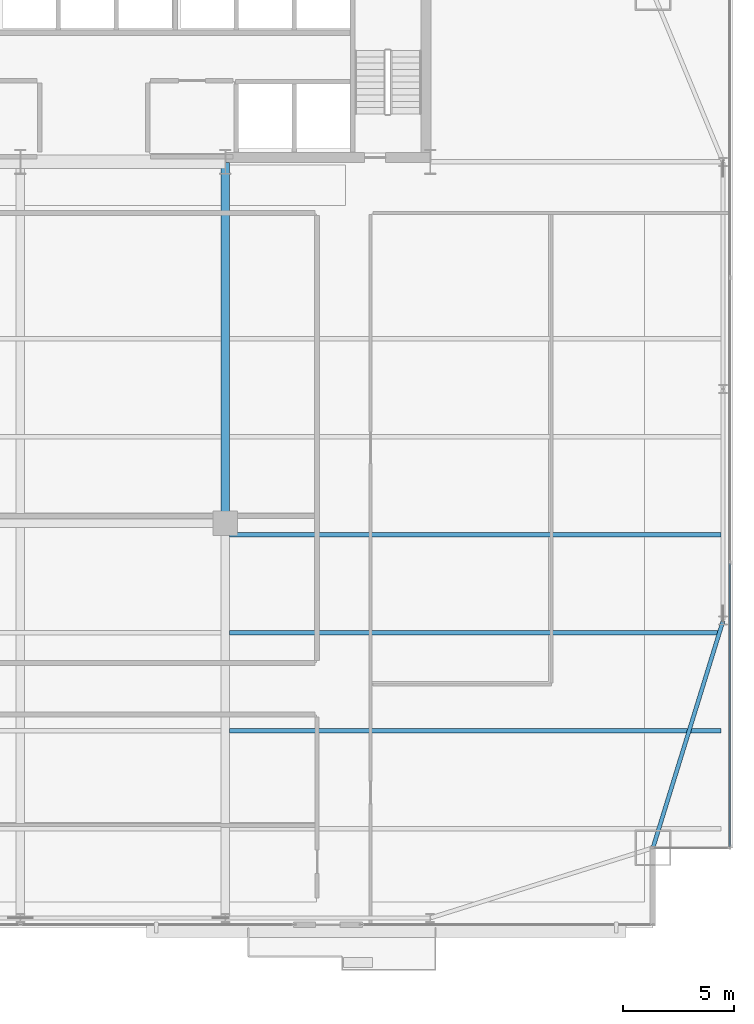
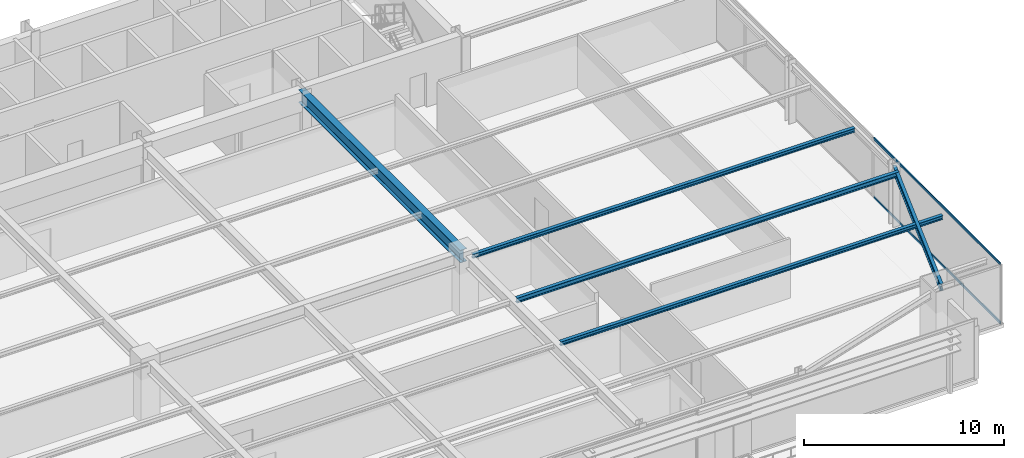
# One storey, part 15 of 31: 5 beams, 2 members, 1 element without a shape of its own.
"""IFC4 building model written with IfcOpenShell, lengths in metres."""

import ifcopenshell
import ifcopenshell.guid

model = None  # the IFC model being written
_history = None  # IfcOwnerHistory: only IFC2X3 demands one
_inside = {}  # id of a spatial element -> (the spatial element, [elements in it])
_under = {}  # id of a project, library or spatial element -> (it, [spatial elements below it])
_declared = {}  # id of a project -> (the project, [libraries it declares])
_typed = {}  # id of a type object -> (the type object, [elements of that type])
_made_of = {}  # id of a material, layer set ... -> (it, [elements and type objects made of it])


def new_model(schema):
    """Start an empty IFC model of exactly this schema.

    Asked for "IFC4X3", IfcOpenShell would pick the latest addendum, in which some entities
    have other attributes; the version numbers below select the first issue.
    IFC2X3 requires an IfcOwnerHistory on every rooted entity: one is made here for all.
    """
    global model, _history
    if schema == "IFC4X3":
        model = ifcopenshell.file(schema_version=(4, 3, 0, 0))
    else:
        model = ifcopenshell.file(schema=schema)
    _inside.clear()
    _under.clear()
    _declared.clear()
    _typed.clear()
    _made_of.clear()
    _history = None
    if model.schema == "IFC2X3":
        org = make("IfcOrganization", Name="unknown")
        user = make(
            "IfcPersonAndOrganization",
            ThePerson=make("IfcPerson", FamilyName="unknown"),
            TheOrganization=org,
        )
        app = make(
            "IfcApplication",
            ApplicationDeveloper=org,
            Version="unknown",
            ApplicationFullName="unknown",
            ApplicationIdentifier="unknown",
        )
        _history = make(
            "IfcOwnerHistory",
            OwningUser=user,
            OwningApplication=app,
            ChangeAction="ADDED",
            CreationDate=0,
        )
    return model


def make(cls, **values):
    """One entity of the class cls with the attributes given. An attribute that is None is left unset."""
    return model.create_entity(
        cls, **{name: value for name, value in values.items() if value is not None}
    )


def rooted(cls, **values):
    """An entity with a GlobalId (a new one), such as an element, a storey or a relation."""
    return make(cls, GlobalId=ifcopenshell.guid.new(), OwnerHistory=_history, **values)


def si_unit(unit_type, name, prefix=None):
    """IfcSIUnit, for example si_unit("LENGTHUNIT", "METRE", prefix="MILLI")."""
    return make("IfcSIUnit", UnitType=unit_type, Prefix=prefix, Name=name)


def assignment(units):
    """IfcUnitAssignment: the units of a project."""
    return None if units is None else make("IfcUnitAssignment", Units=units)


def point(xyz):
    """IfcCartesianPoint."""
    return None if xyz is None else make("IfcCartesianPoint", Coordinates=xyz)


def direction(xyz):
    """IfcDirection."""
    return None if xyz is None else make("IfcDirection", DirectionRatios=xyz)


def frame(location, z_axis=None, x_axis=None):
    """IfcAxis2Placement3D, a coordinate frame: its origin and axes. An axis left out is left unset."""
    return make(
        "IfcAxis2Placement3D",
        Location=point(location),
        Axis=direction(z_axis),
        RefDirection=direction(x_axis),
    )


def frame_2d(location, x_axis=None):
    """IfcAxis2Placement2D, a coordinate frame in the plane: its origin and x axis."""
    return make(
        "IfcAxis2Placement2D", Location=point(location), RefDirection=direction(x_axis)
    )


def origin():
    """The frame at (0, 0, 0) with its axes left unset."""
    return frame((0.0, 0.0, 0.0))


def origin_2d():
    """The frame at (0, 0) in the plane with its x axis left unset."""
    return frame_2d((0.0, 0.0))


def place(relative_to, where):
    """IfcLocalPlacement: puts the frame where relative to a parent placement (None: the world)."""
    return make(
        "IfcLocalPlacement", PlacementRelTo=relative_to, RelativePlacement=where
    )


def context(
    kind, dimensions, precision=None, world=None, true_north=None, identifier=None
):
    """IfcGeometricRepresentationContext, for example the 3D "Model" context."""
    return make(
        "IfcGeometricRepresentationContext",
        ContextIdentifier=identifier,
        ContextType=kind,
        CoordinateSpaceDimension=dimensions,
        Precision=precision,
        WorldCoordinateSystem=world,
        TrueNorth=true_north,
    )


def subcontext(parent, identifier, kind, view, scale=None):
    """IfcGeometricRepresentationSubContext, for example "Body" below "Model"."""
    return make(
        "IfcGeometricRepresentationSubContext",
        ContextIdentifier=identifier,
        ContextType=kind,
        ParentContext=parent,
        TargetScale=scale,
        TargetView=view,
    )


def project(units=None, contexts=None):
    """IfcProject with its units and contexts."""
    return rooted(
        "IfcProject",
        Name="project",
        RepresentationContexts=contexts,
        UnitsInContext=assignment(units),
    )


def spatial(cls, under=None, at=None, **own):
    """A site, building, storey or space (cls), placed at a placement, below another one or the project."""
    s = rooted(cls, ObjectPlacement=at, **own)
    if under is not None:
        _under.setdefault(under.id(), (under, []))[1].append(s)
    return s


def profile(cls, at=None, kind="AREA", **sizes):
    """A parametric profile (cls). Its sizes go by their IFC names, for example OverallWidth=200.0."""
    return make(cls, ProfileType=kind, Position=at, **sizes)


def hollow_rectangle(**sizes):
    """IfcRectangleHollowProfileDef."""
    return profile("IfcRectangleHollowProfileDef", **sizes)


def i_section(**sizes):
    """IfcIShapeProfileDef."""
    return profile("IfcIShapeProfileDef", **sizes)


def extrude(swept, where, along, depth):
    """IfcExtrudedAreaSolid: the profile swept, set in the frame where, extruded along a direction by depth."""
    return make(
        "IfcExtrudedAreaSolid",
        SweptArea=swept,
        Position=where,
        ExtrudedDirection=direction(along),
        Depth=depth,
    )


def shape(context_of_items, identifier, shape_type, items):
    """IfcShapeRepresentation: the items that make up one representation, for example the "Body"."""
    return make(
        "IfcShapeRepresentation",
        ContextOfItems=context_of_items,
        RepresentationIdentifier=identifier,
        RepresentationType=shape_type,
        Items=items,
    )


def source(mapping_origin, context_of_items, identifier, shape_type, items):
    """IfcRepresentationMap: a shape defined once, which mapped items show again and again."""
    return make(
        "IfcRepresentationMap",
        MappingOrigin=mapping_origin,
        MappedRepresentation=shape(context_of_items, identifier, shape_type, items),
    )


def transform(
    local_origin,
    x_axis=None,
    y_axis=None,
    z_axis=None,
    scale=None,
    scale2=None,
    scale3=None,
    uniform=True,
):
    """IfcCartesianTransformationOperator3D, or its non-uniform kind. x_axis, y_axis, z_axis: its Axis1, 2, 3."""
    if uniform:
        return make(
            "IfcCartesianTransformationOperator3D",
            Axis1=direction(x_axis),
            Axis2=direction(y_axis),
            LocalOrigin=point(local_origin),
            Scale=scale,
            Axis3=direction(z_axis),
        )
    return make(
        "IfcCartesianTransformationOperator3DnonUniform",
        Axis1=direction(x_axis),
        Axis2=direction(y_axis),
        LocalOrigin=point(local_origin),
        Scale=scale,
        Axis3=direction(z_axis),
        Scale2=scale2,
        Scale3=scale3,
    )


def mapped(mapping_source, mapping_target):
    """IfcMappedItem: shows the shape of a source again, moved by a transform."""
    return make(
        "IfcMappedItem", MappingSource=mapping_source, MappingTarget=mapping_target
    )


def material(Name=None, Category=None):
    """IfcMaterial."""
    return make("IfcMaterial", Name=Name, Category=Category)


def layer(
    of_material, thickness, ventilated=None, Name=None, Category=None, Priority=None
):
    """IfcMaterialLayer: one layer of a wall or slab, of a material (None: an air gap)."""
    return make(
        "IfcMaterialLayer",
        Material=of_material,
        LayerThickness=thickness,
        IsVentilated=ventilated,
        Name=Name,
        Category=Category,
        Priority=Priority,
    )


def layer_set(layers, Name=None):
    """IfcMaterialLayerSet."""
    return make("IfcMaterialLayerSet", MaterialLayers=layers, LayerSetName=Name)


def material_profile(
    of_material, cross_section, Name=None, Category=None, Priority=None
):
    """IfcMaterialProfile: a cross section and its material."""
    return make(
        "IfcMaterialProfile",
        Name=Name,
        Material=of_material,
        Profile=cross_section,
        Priority=Priority,
        Category=Category,
    )


def profile_set(profiles, Name=None, composite=None):
    """IfcMaterialProfileSet."""
    return make(
        "IfcMaterialProfileSet",
        Name=Name,
        MaterialProfiles=profiles,
        CompositeProfile=composite,
    )


def made_of(thing, what):
    """Note that an element or type object is made of a material, layer set ...; save() writes the relation."""
    if what is not None:
        _made_of.setdefault(what.id(), (what, []))[1].append(thing)
    return thing


def type_object(cls, material=None, **own):
    """A type object (cls), such as IfcWallType, which elements share."""
    return made_of(rooted(cls, **own), material)


def type_shapes(of_type, sources):
    """Give a type object the sources (RepresentationMaps) that its elements show as mapped items."""
    of_type.RepresentationMaps = sources


def element(
    cls,
    number,
    at=None,
    inside=None,
    cuts=None,
    type_object=None,
    material=None,
    context=None,
    identifier="Body",
    shape_type=None,
    held_by="IfcProductDefinitionShape",
    body=None,
    shapes=None,
    **own,
):
    """One element of the class cls, such as IfcWall. Its Tag is "e" and its number.

    at: its placement. inside: the storey or other place that contains it. cuts: it is an
    opening in that element (IfcRelVoidsElement). A single representation is given by context,
    identifier, shape_type and body (its items); several are given by shapes. held_by: the class
    of the entity that holds the representations. save() writes the other relations.
    """
    e = rooted(cls, Tag="e%d" % number, ObjectPlacement=at, **own)
    if body is not None:
        shapes = [shape(context, identifier, shape_type, body)]
    if shapes is not None:
        e.Representation = make(held_by, Representations=shapes)
    if inside is not None:
        _inside.setdefault(inside.id(), (inside, []))[1].append(e)
    if cuts is not None:
        rooted(
            "IfcRelVoidsElement", RelatingBuildingElement=cuts, RelatedOpeningElement=e
        )
    if type_object is not None:
        _typed.setdefault(type_object.id(), (type_object, []))[1].append(e)
    return made_of(e, material)


def aggregate(whole, parts):
    """IfcRelAggregates: a whole, such as a stair, and the parts it consists of."""
    return rooted("IfcRelAggregates", RelatingObject=whole, RelatedObjects=parts)


def save(model, path):
    """Write the relations noted so far, then the file.

    IfcRelAggregates (storeys below a building ...), IfcRelContainedInSpatialStructure (elements
    in a storey), IfcRelDefinesByType, IfcRelAssociatesMaterial and IfcRelDeclares: one each for
    every whole, place, type object, material and project.
    """
    for whole, parts in _under.values():
        aggregate(whole, parts)
    for where, things in _inside.values():
        rooted(
            "IfcRelContainedInSpatialStructure",
            RelatedElements=things,
            RelatingStructure=where,
        )
    for kind, things in _typed.values():
        rooted("IfcRelDefinesByType", RelatedObjects=things, RelatingType=kind)
    for what, things in _made_of.values():
        rooted("IfcRelAssociatesMaterial", RelatedObjects=things, RelatingMaterial=what)
    for by, libraries in _declared.values():
        rooted("IfcRelDeclares", RelatingContext=by, RelatedDefinitions=libraries)
    model.write(path)


model = new_model("IFC4")

# Units and contexts
model_context = context("Model", 3, precision=1e-05, world=origin(), true_north=direction((0.0, 1.0)))
body_context = subcontext(model_context, "Body", "Model", "MODEL_VIEW")
ifc_project = project(units=[si_unit("LENGTHUNIT", "METRE"), si_unit("AREAUNIT", "SQUARE_METRE"), si_unit("VOLUMEUNIT", "CUBIC_METRE"), si_unit("PLANEANGLEUNIT", "RADIAN"), si_unit("MASSUNIT", "GRAM", prefix="KILO")], contexts=[model_context])

# Site, building, storey
site_placement = place(None, origin())
site = spatial("IfcSite", under=ifc_project, at=site_placement, CompositionType="ELEMENT")
building_placement = place(site_placement, origin())
building = spatial("IfcBuilding", under=site, at=building_placement, Name="Varnel Quay Broadcast Tower", CompositionType="ELEMENT")
storey_placement = place(building_placement, frame((0.0, 0.0, 39.300048828125)))
storey = spatial("IfcBuildingStorey", under=building, at=storey_placement, Name="L08", CompositionType="ELEMENT", Elevation=39.300048828125)

# Beams
ifc_material_1 = material(Name="Structural Steel CSA G40.21 350W", Category="steel")
ifc_material_profile_1 = material_profile(ifc_material_1, i_section(OverallWidth=0.180908203125, OverallDepth=0.4169921875, WebThickness=0.010986328125, FlangeThickness=0.018310546875, FilletRadius=0.011962890625, at=origin_2d()), Name="W410X85")
ifc_profile_set_1 = profile_set([ifc_material_profile_1], Name="Structural Steel CSA G40.21 350W")
beam_type_1 = type_object("IfcBeamType", Name="Beam_W410X85", PredefinedType="SPANDREL", material=ifc_profile_set_1)
shared_shape_1 = source(origin(), body_context, "Body", "SweptSolid", [
    extrude(i_section(OverallWidth=0.180908203125, OverallDepth=0.4169921875, WebThickness=0.010986328125, FlangeThickness=0.018310546875, FilletRadius=0.011962890625, at=origin_2d()), origin(), (0.0, 0.0, 1.0), 10.635498046875),
])
type_shapes(beam_type_1, [shared_shape_1])
beam_1_placement = place(storey_placement, frame((62.406005859375, 4.819091796875, 3.44140625), z_axis=(0.295069676324, 0.955475738108, 0.0), x_axis=(-0.955475738108, 0.295069676324, 0.0)))
element("IfcBeam", 1, at=beam_1_placement, inside=storey, type_object=beam_type_1, Name="L08 East Spandrel MC-SE-TC-E1", PredefinedType="SPANDREL", context=body_context, shape_type="MappedRepresentation", body=[
    mapped(shared_shape_1, transform((0.0, 0.0, 0.0), x_axis=(1.0, 0.0, 0.0), y_axis=(0.0, 1.0, 0.0), z_axis=(0.0, 0.0, 1.0), scale=1.0)),
])
ifc_material_profile_2 = material_profile(ifc_material_1, i_section(OverallWidth=0.381103515625, OverallDepth=0.77294921875, WebThickness=0.0166015625, FlangeThickness=0.027587890625, FilletRadius=0.01806640625, at=origin_2d()), Name="W760X257")
ifc_profile_set_2 = profile_set([ifc_material_profile_2], Name="Structural Steel CSA G40.21 350W")
beam_type_2 = type_object("IfcBeamType", Name="Girder_W760X257", PredefinedType="BEAM", material=ifc_profile_set_2)
shared_shape_2 = source(origin(), body_context, "Body", "SweptSolid", [
    extrude(i_section(OverallWidth=0.381103515625, OverallDepth=0.77294921875, WebThickness=0.0166015625, FlangeThickness=0.027587890625, FilletRadius=0.01806640625, at=origin_2d()), origin(), (0.0, 0.0, 1.0), 16.190185546875),
])
type_shapes(beam_type_2, [shared_shape_2])
beam_2_placement = place(storey_placement, frame((43.199951171875, 19.389892578125, 3.263427734375), z_axis=(0.0, 1.0, 0.0), x_axis=(-1.0, 0.0, 0.0)))
element("IfcBeam", 2, at=beam_2_placement, inside=storey, type_object=beam_type_2, Name="L08 Primary Girder IC-02-CC-S4", PredefinedType="BEAM", context=body_context, shape_type="MappedRepresentation", body=[
    mapped(shared_shape_2, transform((0.0, 0.0, 0.0), x_axis=(1.0, 0.0, 0.0), y_axis=(0.0, 1.0, 0.0), z_axis=(0.0, 0.0, 1.0), scale=1.0)),
])
ifc_material_profile_3 = material_profile(ifc_material_1, i_section(OverallWidth=0.202880859375, OverallDepth=0.302978515625, WebThickness=0.007568359375, FlangeThickness=0.01318359375, FilletRadius=0.011962890625, at=origin_2d()), Name="W310X60")
ifc_profile_set_3 = profile_set([ifc_material_profile_3], Name="Structural Steel CSA G40.21 350W")
beam_type_3 = type_object("IfcBeamType", Name="Beam_W310X60", PredefinedType="JOIST", material=ifc_profile_set_3)
shared_shape_3 = source(origin(), body_context, "Body", "SweptSolid", [
    extrude(i_section(OverallWidth=0.202880859375, OverallDepth=0.302978515625, WebThickness=0.007568359375, FlangeThickness=0.01318359375, FilletRadius=0.011962890625, at=origin_2d()), origin(), (0.0, 0.0, 1.0), 22.0791015625),
])
type_shapes(beam_type_3, [shared_shape_3])
beam_3_placement = place(storey_placement, frame((43.385498046875, 14.449951171875, 3.49853515625), z_axis=(1.0, 0.0, 0.0), x_axis=(0.0, 1.0, 0.0)))
element("IfcBeam", 3, at=beam_3_placement, inside=storey, type_object=beam_type_3, Name="L08 East Floor Joist 3", PredefinedType="JOIST", context=body_context, shape_type="MappedRepresentation", body=[
    mapped(shared_shape_3, transform((0.0, 0.0, 0.0), x_axis=(1.0, 0.0, 0.0), y_axis=(0.0, 1.0, 0.0), z_axis=(0.0, 0.0, 1.0), scale=1.0)),
])
ifc_material_profile_4 = material_profile(ifc_material_1, i_section(OverallWidth=0.201904296875, OverallDepth=0.2470703125, WebThickness=0.00732421875, FlangeThickness=0.010986328125, FilletRadius=0.010986328125, at=origin_2d()), Name="W250X49")
ifc_profile_set_4 = profile_set([ifc_material_profile_4], Name="Structural Steel CSA G40.21 350W")
beam_type_4 = type_object("IfcBeamType", Name="Beam_W250X49", PredefinedType="JOIST", material=ifc_profile_set_4)
shared_shape_4 = source(origin(), body_context, "Body", "SweptSolid", [
    extrude(i_section(OverallWidth=0.201904296875, OverallDepth=0.2470703125, WebThickness=0.00732421875, FlangeThickness=0.010986328125, FilletRadius=0.010986328125, at=origin_2d()), origin(), (0.0, 0.0, 1.0), 22.0791015625),
])
type_shapes(beam_type_4, [shared_shape_4])
for number, where, z_axis, x_axis, name in (
    (4, (43.385498046875, 10.050048828125, 3.5263671875), (1.0, 0.0, 0.0), (0.0, 1.0, 0.0), "L08 East Floor Joist 2"),
    (5, (43.385498046875, 18.85009765625, 3.5263671875), (1.0, 0.0, 0.0), (0.0, 1.0, 0.0), "L08 East Floor Joist 4"),
):
    element("IfcBeam", number, at=place(storey_placement, frame(where, z_axis=z_axis, x_axis=x_axis)), inside=storey, type_object=beam_type_4, Name=name, PredefinedType="JOIST", context=body_context, shape_type="MappedRepresentation", body=[
        mapped(shared_shape_4, transform((0.0, 0.0, 0.0), x_axis=(1.0, 0.0, 0.0), y_axis=(0.0, 1.0, 0.0), z_axis=(0.0, 0.0, 1.0), scale=1.0)),
    ])

# Curtain wall, members
ifc_material_2 = material(Name="Anodised Bronze Aluminium 6063-T6", Category="aluminium")
ifc_layer = layer(ifc_material_2, 0.18994140625, Name="Anodised Bronze Aluminium 6063-T6")
ifc_layer_set = layer_set([ifc_layer], Name="Anodised Bronze Aluminium 6063-T6")
curtain_wall_type = type_object("IfcCurtainWallType", Name="CW_LowerTower", PredefinedType="NOTDEFINED", material=ifc_layer_set)
curtain_wall_placement = place(storey_placement, origin())
curtain_wall = element("IfcCurtainWall", 6, at=curtain_wall_placement, inside=storey, type_object=curtain_wall_type, Name="L08 East Unitised Curtain Wall", PredefinedType="NOTDEFINED")
ifc_material_profile_5 = material_profile(ifc_material_2, hollow_rectangle(XDim=0.06005859375, YDim=0.14501953125, WallThickness=0.00341796875, at=origin_2d()), Name="ALU60X145X3.5")
ifc_profile_set_5 = profile_set([ifc_material_profile_5], Name="Anodised Bronze Aluminium 6063-T6")
member_type = type_object("IfcMemberType", Name="Tran_CWS-02", PredefinedType="USERDEFINED", material=ifc_profile_set_5)
shared_shape_5 = source(origin(), body_context, "Body", "SweptSolid", [
    extrude(hollow_rectangle(XDim=0.06005859375, YDim=0.14501953125, WallThickness=0.00341796875, at=origin_2d()), origin(), (0.0, 0.0, 1.0), 12.69482421875),
])
type_shapes(member_type, [shared_shape_5])
member_1_placement = place(storey_placement, frame((65.85009765625, 4.8701171875, 0.030029296875), z_axis=(0.0, 1.0, 0.0), x_axis=(-1.0, 0.0, 0.0)))
member_1 = element("IfcMember", 7, at=member_1_placement, type_object=member_type, Name="CWS-02 transom 1.1", ObjectType="TRANSOM", PredefinedType="USERDEFINED", context=body_context, shape_type="MappedRepresentation", body=[
    mapped(shared_shape_5, transform((0.0, 0.0, 0.0), x_axis=(1.0, 0.0, 0.0), y_axis=(0.0, 1.0, 0.0), z_axis=(0.0, 0.0, 1.0), scale=1.0)),
])
member_2_placement = place(storey_placement, frame((65.85009765625, 4.8701171875, 3.619873046875), z_axis=(0.0, 1.0, 0.0), x_axis=(-1.0, 0.0, 0.0)))
member_2 = element("IfcMember", 8, at=member_2_placement, type_object=member_type, Name="CWS-02 transom 1.2", ObjectType="TRANSOM", PredefinedType="USERDEFINED", context=body_context, shape_type="MappedRepresentation", body=[
    mapped(shared_shape_5, transform((0.0, 0.0, 0.0), x_axis=(1.0, 0.0, 0.0), y_axis=(0.0, 1.0, 0.0), z_axis=(0.0, 0.0, 1.0), scale=1.0)),
])
aggregate(curtain_wall, [member_1, member_2])

save(model, "model.ifc")
